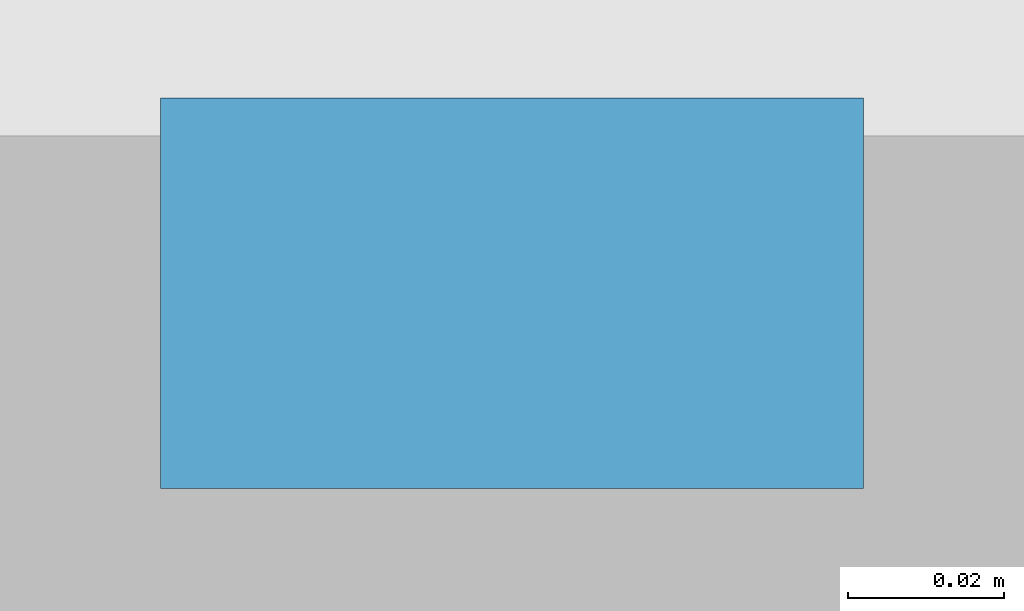
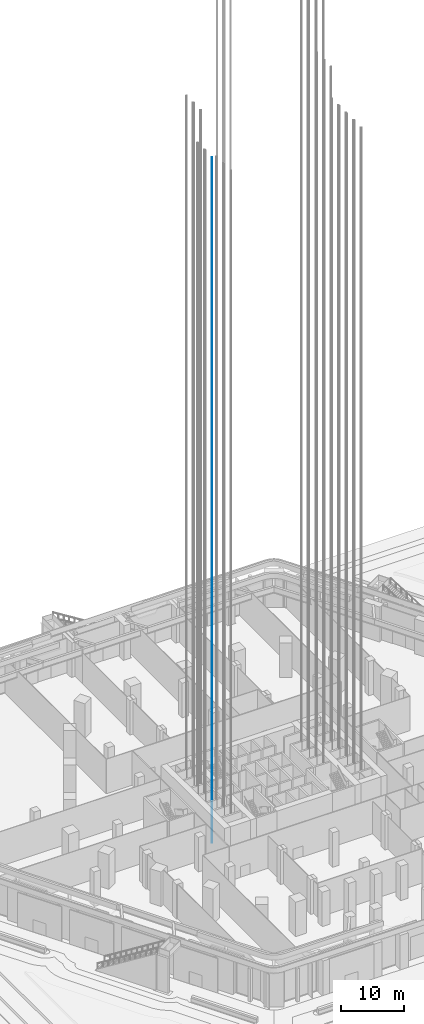
# One storey, part 30 of 68: 1 discrete accessory.
"""IFC4 building model written with IfcOpenShell, lengths in metres."""

from ifc_helpers import new_model, si_unit, direction, frame, origin, origin_2d, place, context, subcontext, project, spatial, rectangle, extrude, element, save


model = new_model("IFC4")

# Units and contexts
model_context = context("Model", 3, precision=1e-05, world=origin(), true_north=direction((0.0, 1.0)))
body_context = subcontext(model_context, "Body", "Model", "MODEL_VIEW")
ifc_project = project(units=[si_unit("LENGTHUNIT", "METRE"), si_unit("AREAUNIT", "SQUARE_METRE"), si_unit("VOLUMEUNIT", "CUBIC_METRE"), si_unit("PLANEANGLEUNIT", "RADIAN"), si_unit("MASSUNIT", "GRAM", prefix="KILO")], contexts=[model_context])

# Site, building, storey
site_placement = place(None, origin())
site = spatial("IfcSite", under=ifc_project, at=site_placement, CompositionType="ELEMENT")
building_placement = place(site_placement, origin())
building = spatial("IfcBuilding", under=site, at=building_placement, Name="Kolab Exchange Tower", CompositionType="ELEMENT")
storey_placement = place(building_placement, origin())
storey = spatial("IfcBuildingStorey", under=building, at=storey_placement, Name="L00", CompositionType="ELEMENT", Elevation=0.0)

# Discrete accessory
discrete_accessory_placement = place(storey_placement, frame((-12.699951171875, -2.27001953125, -1.599853515625), z_axis=(0.0, 0.0, 1.0), x_axis=(1.0, 0.0, 0.0)))
element("IfcDiscreteAccessory", 1, at=discrete_accessory_placement, inside=storey, Name="Guide rail LR7-1", ObjectType="GUIDE RAIL", PredefinedType="USERDEFINED", context=body_context, shape_type="SweptSolid", body=[
    extrude(rectangle(XDim=0.090087890625, YDim=0.050048828125, at=origin_2d()), origin(), (0.0, 0.0, 1.0), 133.39990234375),
])

save(model, "model.ifc")
